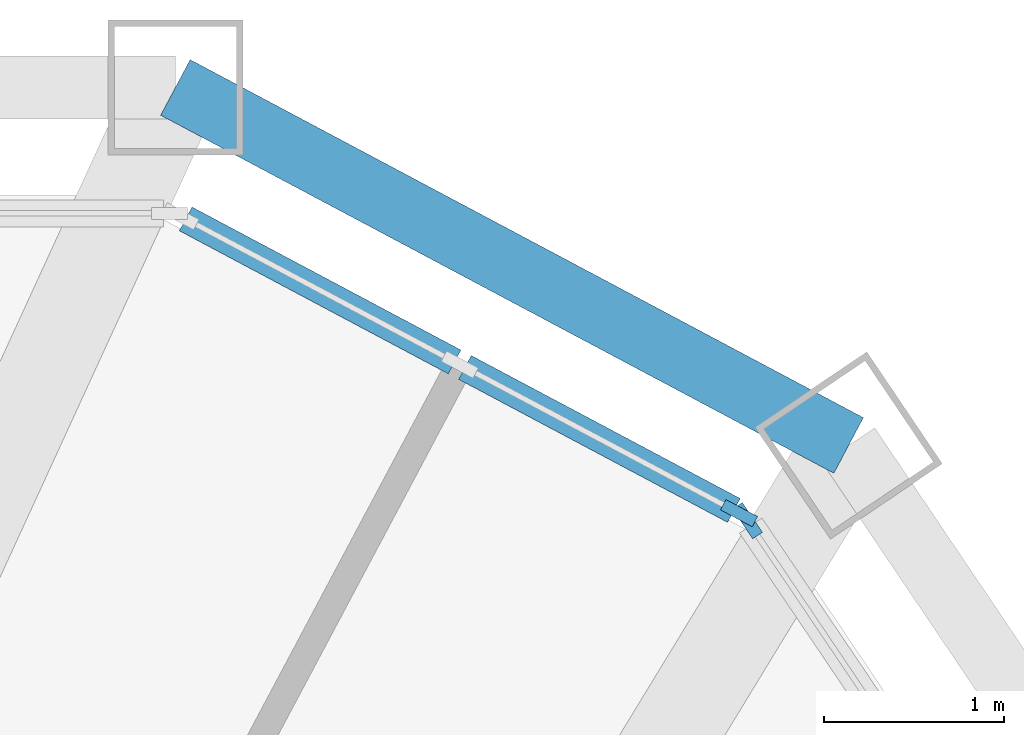
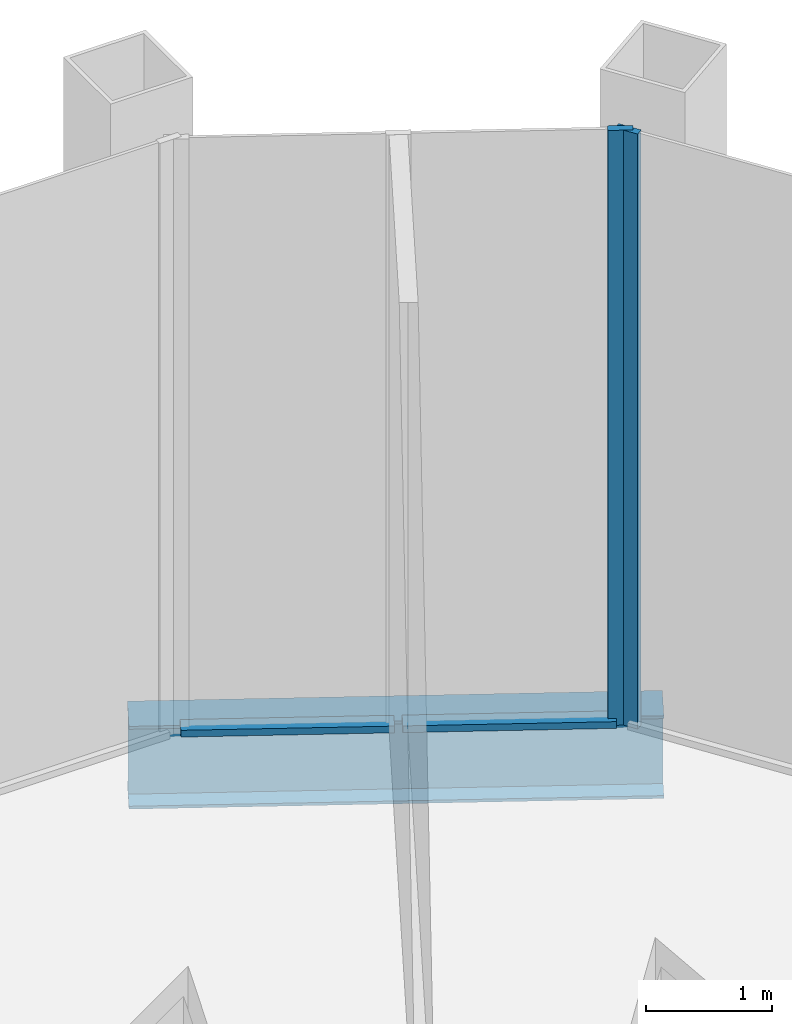
# One storey, part 15 of 23: 4 members, 1 beam, 2 elements without a shape of their own.
"""IFC4 building model written with IfcOpenShell, lengths in metres."""

from ifc_helpers import new_model, si_unit, direction, frame, origin, origin_2d, place, context, subcontext, project, spatial, rectangle, i_section, extrude, material, material_profile, profile_set, type_object, element, aggregate, save


model = new_model("IFC4")

# Units and contexts
model_context = context("Model", 3, precision=1e-05, world=origin(), true_north=direction((0.0, 1.0)))
body_context = subcontext(model_context, "Body", "Model", "MODEL_VIEW")
ifc_project = project(units=[si_unit("LENGTHUNIT", "METRE"), si_unit("AREAUNIT", "SQUARE_METRE"), si_unit("VOLUMEUNIT", "CUBIC_METRE"), si_unit("PLANEANGLEUNIT", "RADIAN"), si_unit("MASSUNIT", "GRAM", prefix="KILO")], contexts=[model_context])

# Site, building, storey
site_placement = place(None, origin())
site = spatial("IfcSite", under=ifc_project, at=site_placement, CompositionType="ELEMENT")
building_placement = place(site_placement, origin())
building = spatial("IfcBuilding", under=site, at=building_placement, Name="Qingtian Harvest Tower", CompositionType="ELEMENT")
storey_placement = place(building_placement, frame((0.0, 0.0, 6.0)))
storey = spatial("IfcBuildingStorey", under=building, at=storey_placement, Name="L01", CompositionType="ELEMENT", Elevation=6.0)

# Curtain wall, member
ifc_material_1 = material(Name="Bronze-anodised aluminium curtain wall", Category="aluminium")
curtain_wall_type = type_object("IfcCurtainWallType", Name="Curtain wall CW1 podium shopfront", PredefinedType="USERDEFINED", material=ifc_material_1)
curtain_wall_1_placement = place(storey_placement, origin())
curtain_wall_1 = element("IfcCurtainWall", 1, at=curtain_wall_1_placement, inside=storey, type_object=curtain_wall_type, Name="Curtain wall CW1 L01 NC", ObjectType="RECESSED CURTAIN WALL", PredefinedType="USERDEFINED")
ifc_material_2 = material(Name="Bronze-anodised aluminium mullion", Category="aluminium")
ifc_material_profile_1 = material_profile(ifc_material_2, rectangle(XDim=0.06494140625, YDim=0.199951171875, at=origin_2d()), Name="AL 65x200")
ifc_profile_set_1 = profile_set([ifc_material_profile_1], Name="Bronze-anodised aluminium mullion")
member_type_1 = type_object("IfcMemberType", Name="Mullion CWM 65x200", PredefinedType="MULLION", material=ifc_profile_set_1)
member_1_placement = place(storey_placement, frame((18.279541015625, 30.634033203125, 0.0), z_axis=(0.0, 0.0, 1.0), x_axis=(0.469471562786, 0.882947592859, 0.0)))
member_1 = element("IfcMember", 2, at=member_1_placement, type_object=member_type_1, Name="CW1 mullion 3", PredefinedType="MULLION", context=body_context, shape_type="SweptSolid", body=[
    extrude(rectangle(XDim=0.06494140625, YDim=0.199951171875, at=origin_2d()), origin(), (0.0, 0.0, 1.0), 5.75),
])

curtain_wall_2_placement = place(storey_placement, origin())
curtain_wall_2 = element("IfcCurtainWall", 3, at=curtain_wall_2_placement, inside=storey, type_object=curtain_wall_type, Name="Curtain wall CW1 L01 NE0-1", ObjectType="RECESSED CURTAIN WALL", PredefinedType="USERDEFINED")
member_2_placement = place(storey_placement, frame((18.326416015625, 30.592041015625, 0.0), z_axis=(0.0, 0.0, 1.0), x_axis=(0.829037572555, 0.559192903471, 0.0)))
member_2 = element("IfcMember", 4, at=member_2_placement, type_object=member_type_1, Name="CW1 mullion 1", PredefinedType="MULLION", context=body_context, shape_type="SweptSolid", body=[
    extrude(rectangle(XDim=0.06494140625, YDim=0.199951171875, at=origin_2d()), origin(), (0.0, 0.0, 1.0), 5.75),
])
aggregate(curtain_wall_2, [member_2])

# Beam
ifc_material_3 = material(Name="Steel SN490B", Category="steel")
ifc_material_profile_2 = material_profile(ifc_material_3, i_section(OverallWidth=0.35009765625, OverallDepth=0.800048828125, WebThickness=0.01611328125, FlangeThickness=0.028076171875, at=origin_2d()), Name="H800x350x16x28")
ifc_profile_set_2 = profile_set([ifc_material_profile_2], Name="Steel SN490B")
beam_type = type_object("IfcBeamType", Name="Podium beam PB1 H800x350x16x28", PredefinedType="BEAM", material=ifc_profile_set_2)
beam_placement = place(storey_placement, frame((15.146484375, 33.0, -0.64990234375), z_axis=(0.882935902835, -0.469493547863, 0.0), x_axis=(0.469493547863, 0.882935902835, 0.0)))
element("IfcBeam", 5, at=beam_placement, inside=storey, type_object=beam_type, Name="Podium edge beam PB1 N4", PredefinedType="BEAM", context=body_context, shape_type="SweptSolid", body=[
    extrude(i_section(OverallWidth=0.35009765625, OverallDepth=0.800048828125, WebThickness=0.01611328125, FlangeThickness=0.028076171875, at=origin_2d()), origin(), (0.0, 0.0, 1.0), 4.238037109375),
])

# Member
ifc_material_4 = material(Name="Bronze-anodised aluminium transom", Category="aluminium")
ifc_material_profile_3 = material_profile(ifc_material_4, rectangle(XDim=0.14990234375, YDim=0.06494140625, at=origin_2d()), Name="AL 65x150")
ifc_profile_set_3 = profile_set([ifc_material_profile_3], Name="Bronze-anodised aluminium transom")
member_type_2 = type_object("IfcMemberType", Name="Transom CWT 65x150", PredefinedType="USERDEFINED", material=ifc_profile_set_3)
member_3_placement = place(storey_placement, frame((15.203857421875, 32.26953125, 0.032470703125), z_axis=(0.882895287784, -0.469569921108, 0.0), x_axis=(0.469569921108, 0.882895287784, 0.0)))
member_3 = element("IfcMember", 6, at=member_3_placement, type_object=member_type_2, Name="CW1 transom 1.1", ObjectType="TRANSOM", PredefinedType="USERDEFINED", context=body_context, shape_type="SweptSolid", body=[
    extrude(rectangle(XDim=0.14990234375, YDim=0.06494140625, at=origin_2d()), origin(), (0.0, 0.0, 1.0), 1.69287109375),
])

member_4_placement = place(storey_placement, frame((16.755859375, 31.444091796875, 0.032470703125), z_axis=(0.882986854304, -0.469397715297, 0.0), x_axis=(0.469397715297, 0.882986854304, 0.0)))
member_4 = element("IfcMember", 7, at=member_4_placement, type_object=member_type_2, Name="CW1 transom 2.1", ObjectType="TRANSOM", PredefinedType="USERDEFINED", context=body_context, shape_type="SweptSolid", body=[
    extrude(rectangle(XDim=0.14990234375, YDim=0.06494140625, at=origin_2d()), origin(), (0.0, 0.0, 1.0), 1.69287109375),
])

aggregate(curtain_wall_1, [member_1, member_3, member_4])

save(model, "model.ifc")
